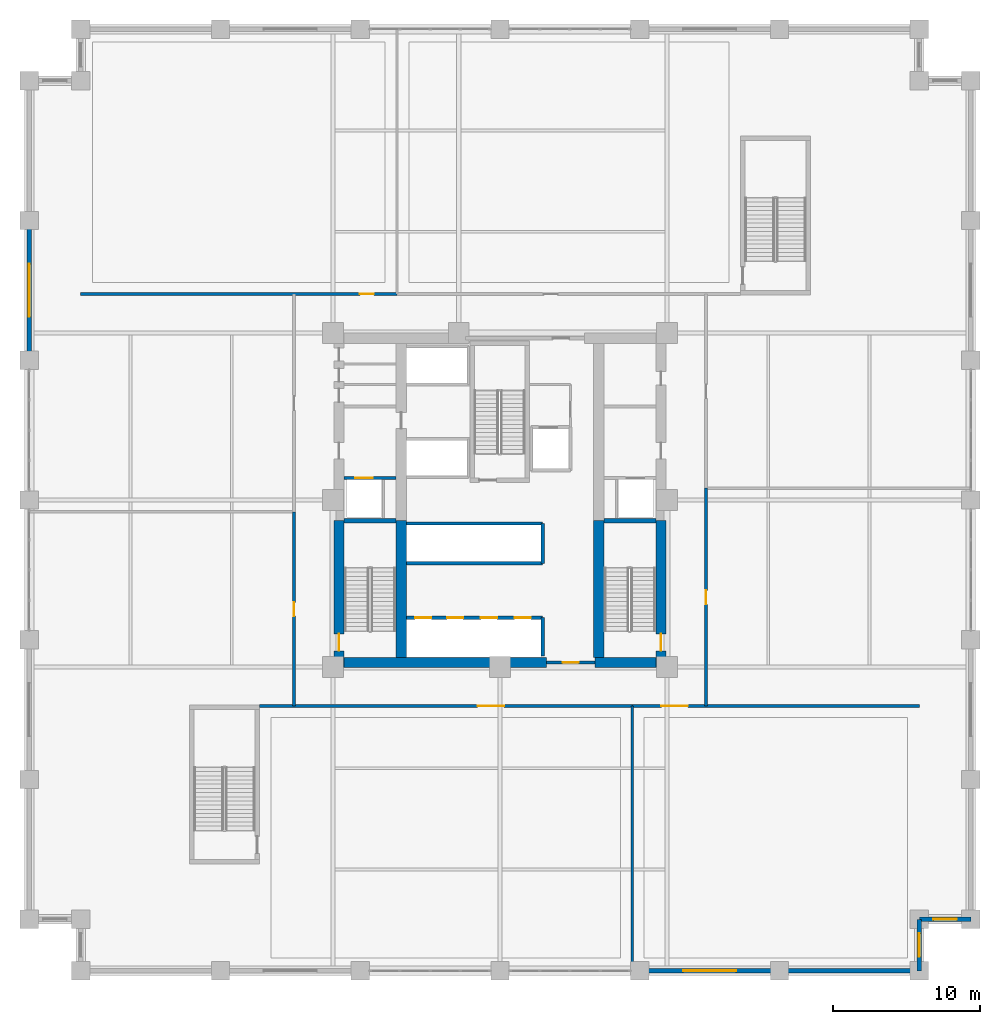
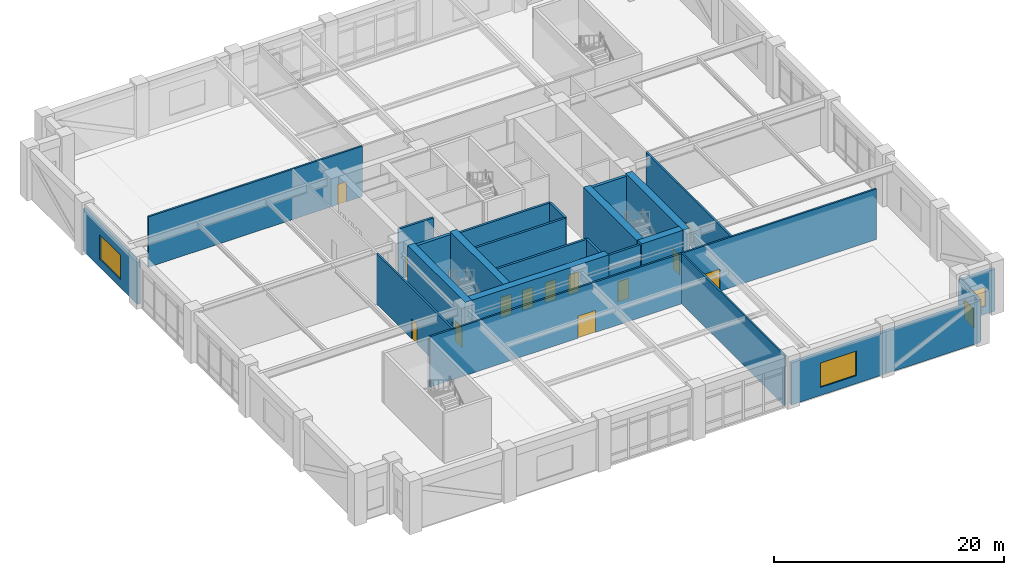
# One storey, part 12 of 21: 26 walls, 13 doors, 4 windows, 17 openings.
"""IFC4 building model written with IfcOpenShell, lengths in metres."""

from ifc_helpers import new_model, si_unit, direction, frame, frame_2d, origin, place, context, subcontext, project, spatial, rectangle, extrude, material, layer, layer_set, type_object, element, fill, save


model = new_model("IFC4")

# Units and contexts
model_context = context("Model", 3, precision=1e-05, world=origin(), true_north=direction((0.0, 1.0)))
body_context = subcontext(model_context, "Body", "Model", "MODEL_VIEW")
ifc_project = project(units=[si_unit("LENGTHUNIT", "METRE"), si_unit("AREAUNIT", "SQUARE_METRE"), si_unit("VOLUMEUNIT", "CUBIC_METRE"), si_unit("PLANEANGLEUNIT", "RADIAN"), si_unit("MASSUNIT", "GRAM", prefix="KILO")], contexts=[model_context])

# Site, building, storey
site_placement = place(None, origin())
site = spatial("IfcSite", under=ifc_project, at=site_placement, CompositionType="ELEMENT")
building_placement = place(site_placement, origin())
building = spatial("IfcBuilding", under=site, at=building_placement, Name="Nhamokura Convention Tower", CompositionType="ELEMENT")
storey_placement = place(building_placement, frame((0.0, 0.0, 12.25)))
storey = spatial("IfcBuildingStorey", under=building, at=storey_placement, Name="L02", CompositionType="ELEMENT", Elevation=12.25)

# Wall, opening, window
ifc_material_1 = material(Name="Bronze-pigmented precast concrete C45/55", Category="concrete")
ifc_layer_1 = layer(ifc_material_1, 0.320068359375)
ifc_layer_set_1 = layer_set([ifc_layer_1], Name="BronzePrecastSpandrel_320")
wall_type_1 = type_object("IfcWallType", Name="BronzePrecastSpandrel_320", PredefinedType="USERDEFINED", material=ifc_layer_set_1)
wall_1_placement = place(storey_placement, frame((51.0, 0.0, 0.0), z_axis=(0.0, 0.0, 1.0), x_axis=(-1.0, 0.0, 0.0)))
wall_1 = element("IfcWall", 1, at=wall_1_placement, inside=storey, type_object=wall_type_1, Name="L02 Masonry-Frame Wall SOUTH 4", ObjectType="SPANDREL_WALL", PredefinedType="USERDEFINED", context=body_context, shape_type="SweptSolid", body=[
    extrude(rectangle(XDim=9.5, YDim=0.320068359375, at=frame_2d((4.75, 0.0))), origin(), (0.0, 0.0, 1.0), 4.4599609375),
])
opening_1_placement = place(wall_1_placement, frame((2.949951171875, 0.0, 0.85009765625)))
opening_1 = element("IfcOpeningElement", 2, at=opening_1_placement, cuts=wall_1, Name="Opening W-01", PredefinedType="OPENING", context=body_context, shape_type="SweptSolid", body=[
    extrude(rectangle(XDim=3.60009765625, YDim=2.60009765625, at=frame_2d((1.800048828125, 1.300048828125))), frame((0.0, 0.169921875, 0.0), z_axis=(0.0, -1.0, 0.0), x_axis=(1.0, 0.0, 0.0)), (0.0, 0.0, 1.0), 0.340087890625),
])
ifc_material_2 = material(Name="Solar-control bronze low-E double glass", Category="glass")
window_type_1 = type_object("IfcWindowType", Name="PodiumClerestoryWindow_3600", PartitioningType="TRIPLE_PANEL_VERTICAL", PredefinedType="WINDOW", material=ifc_material_2)
window_1_placement = place(opening_1_placement, origin())
window_1 = element("IfcWindow", 3, at=window_1_placement, inside=storey, type_object=window_type_1, Name="L02 Facade Window SOUTH 4", OverallHeight=2.60009765625, OverallWidth=3.60009765625, PartitioningType="SINGLE_PANEL", PredefinedType="WINDOW", context=body_context, shape_type="SweptSolid", body=[
    extrude(rectangle(XDim=3.60009765625, YDim=2.60009765625, at=frame_2d((1.800048828125, 1.300048828125))), frame((0.0, 0.030029296875, 0.0), z_axis=(0.0, -1.0, 0.0), x_axis=(1.0, 0.0, 0.0)), (0.0, 0.0, 1.0), 0.06005859375),
])
fill(opening_1, window_1)

# Wall
wall_2_placement = place(storey_placement, frame((60.5, 0.0, 0.0), z_axis=(0.0, 0.0, 1.0), x_axis=(-1.0, 0.0, 0.0)))
element("IfcWall", 4, at=wall_2_placement, inside=storey, type_object=wall_type_1, Name="L02 Braced-Bay Precast Wall SOUTH 5", ObjectType="SPANDREL_WALL", PredefinedType="USERDEFINED", context=body_context, shape_type="SweptSolid", body=[
    extrude(rectangle(XDim=9.5, YDim=0.320068359375, at=frame_2d((4.75, 0.0))), origin(), (0.0, 0.0, 1.0), 4.4599609375),
])

# Wall, opening, window
wall_3_placement = place(storey_placement, frame((0.0, 41.5, 0.0), z_axis=(0.0, 0.0, 1.0), x_axis=(0.0, 1.0, 0.0)))
wall_3 = element("IfcWall", 5, at=wall_3_placement, inside=storey, type_object=wall_type_1, Name="L02 Masonry-Frame Wall WEST 4", ObjectType="SPANDREL_WALL", PredefinedType="USERDEFINED", context=body_context, shape_type="SweptSolid", body=[
    extrude(rectangle(XDim=9.5, YDim=0.320068359375, at=frame_2d((4.75, 0.0))), origin(), (0.0, 0.0, 1.0), 4.4599609375),
])
opening_2_placement = place(wall_3_placement, frame((2.949951171875, 0.0, 0.85009765625)))
opening_2 = element("IfcOpeningElement", 6, at=opening_2_placement, cuts=wall_3, Name="Opening W-01", PredefinedType="OPENING", context=body_context, shape_type="SweptSolid", body=[
    extrude(rectangle(XDim=3.60009765625, YDim=2.60009765625, at=frame_2d((1.800048828125, 1.300048828125))), frame((0.0, 0.169921875, 0.0), z_axis=(0.0, -1.0, 0.0), x_axis=(1.0, 0.0, 0.0)), (0.0, 0.0, 1.0), 0.340087890625),
])
window_2_placement = place(opening_2_placement, origin())
window_2 = element("IfcWindow", 7, at=window_2_placement, inside=storey, type_object=window_type_1, Name="L02 Facade Window WEST 4", OverallHeight=2.60009765625, OverallWidth=3.60009765625, PartitioningType="SINGLE_PANEL", PredefinedType="WINDOW", context=body_context, shape_type="SweptSolid", body=[
    extrude(rectangle(XDim=3.60009765625, YDim=2.60009765625, at=frame_2d((1.800048828125, 1.300048828125))), frame((0.0, 0.030029296875, 0.0), z_axis=(0.0, -1.0, 0.0), x_axis=(1.0, 0.0, 0.0)), (0.0, 0.0, 1.0), 0.06005859375),
])
fill(opening_2, window_2)

wall_4_placement = place(storey_placement, frame((60.5, 3.5, 0.0), z_axis=(0.0, 0.0, 1.0), x_axis=(0.0, -1.0, 0.0)))
wall_4 = element("IfcWall", 8, at=wall_4_placement, inside=storey, type_object=wall_type_1, Name="L02 Notched Corner Wall SE1", ObjectType="SPANDREL_WALL", PredefinedType="USERDEFINED", context=body_context, shape_type="SweptSolid", body=[
    extrude(rectangle(XDim=3.5, YDim=0.320068359375, at=frame_2d((1.75, 0.0))), origin(), (0.0, 0.0, 1.0), 4.4599609375),
])
opening_3_placement = place(wall_4_placement, frame((0.949951171875, 0.0, 0.85009765625)))
opening_3 = element("IfcOpeningElement", 9, at=opening_3_placement, cuts=wall_4, Name="Opening W-11", PredefinedType="OPENING", context=body_context, shape_type="SweptSolid", body=[
    extrude(rectangle(XDim=1.60009765625, YDim=2.050048828125, at=frame_2d((0.800048828125, 1.02490234375))), frame((0.0, 0.169921875, 0.0), z_axis=(0.0, -1.0, 0.0), x_axis=(1.0, 0.0, 0.0)), (0.0, 0.0, 1.0), 0.340087890625),
])
ifc_material_3 = material(Name="Solar-control bronze low-E double glass", Category="glass")
window_type_2 = type_object("IfcWindowType", Name="NotchCornerWindow_1600", PartitioningType="SINGLE_PANEL", PredefinedType="WINDOW", material=ifc_material_3)
window_3_placement = place(opening_3_placement, origin())
window_3 = element("IfcWindow", 10, at=window_3_placement, inside=storey, type_object=window_type_2, Name="L02 Notched Corner Window SE1", OverallHeight=2.050048828125, OverallWidth=1.60009765625, PartitioningType="SINGLE_PANEL", PredefinedType="WINDOW", context=body_context, shape_type="SweptSolid", body=[
    extrude(rectangle(XDim=1.60009765625, YDim=2.050048828125, at=frame_2d((0.800048828125, 1.02490234375))), frame((0.0, 0.030029296875, 0.0), z_axis=(0.0, -1.0, 0.0), x_axis=(1.0, 0.0, 0.0)), (0.0, 0.0, 1.0), 0.06005859375),
])
fill(opening_3, window_3)

wall_5_placement = place(storey_placement, frame((64.0, 3.5, 0.0), z_axis=(0.0, 0.0, 1.0), x_axis=(-1.0, 0.0, 0.0)))
wall_5 = element("IfcWall", 11, at=wall_5_placement, inside=storey, type_object=wall_type_1, Name="L02 Notched Corner Wall SE2", ObjectType="SPANDREL_WALL", PredefinedType="USERDEFINED", context=body_context, shape_type="SweptSolid", body=[
    extrude(rectangle(XDim=3.5, YDim=0.320068359375, at=frame_2d((1.75, 0.0))), origin(), (0.0, 0.0, 1.0), 4.4599609375),
])
opening_4_placement = place(wall_5_placement, frame((0.949951171875, 0.0, 0.85009765625)))
opening_4 = element("IfcOpeningElement", 12, at=opening_4_placement, cuts=wall_5, Name="Opening W-11", PredefinedType="OPENING", context=body_context, shape_type="SweptSolid", body=[
    extrude(rectangle(XDim=1.60009765625, YDim=2.050048828125, at=frame_2d((0.800048828125, 1.02490234375))), frame((0.0, 0.169921875, 0.0), z_axis=(0.0, -1.0, 0.0), x_axis=(1.0, 0.0, 0.0)), (0.0, 0.0, 1.0), 0.340087890625),
])
window_4_placement = place(opening_4_placement, origin())
window_4 = element("IfcWindow", 13, at=window_4_placement, inside=storey, type_object=window_type_2, Name="L02 Notched Corner Window SE2", OverallHeight=2.050048828125, OverallWidth=1.60009765625, PartitioningType="SINGLE_PANEL", PredefinedType="WINDOW", context=body_context, shape_type="SweptSolid", body=[
    extrude(rectangle(XDim=1.60009765625, YDim=2.050048828125, at=frame_2d((0.800048828125, 1.02490234375))), frame((0.0, 0.030029296875, 0.0), z_axis=(0.0, -1.0, 0.0), x_axis=(1.0, 0.0, 0.0)), (0.0, 0.0, 1.0), 0.06005859375),
])
fill(opening_4, window_4)

# Wall, opening, door
ifc_material_4 = material(Name="Concrete C70/85", Category="concrete")
ifc_layer_2 = layer(ifc_material_4, 0.699951171875)
ifc_layer_set_2 = layer_set([ifc_layer_2], Name="CoreShearWall_700")
wall_type_2 = type_object("IfcWallType", Name="CoreShearWall_700", PredefinedType="SHEAR", material=ifc_layer_set_2)
wall_6_placement = place(storey_placement, frame((21.06005859375, 20.60009765625, 0.0), z_axis=(0.0, 0.0, 1.0), x_axis=(0.0, 1.0, 0.0)))
wall_6 = element("IfcWall", 14, at=wall_6_placement, inside=storey, type_object=wall_type_2, Name="L02 Core Shear Wall CW-WS", PredefinedType="SHEAR", context=body_context, shape_type="SweptSolid", body=[
    extrude(rectangle(XDim=10.0, YDim=0.699951171875, at=frame_2d((5.0, 0.0))), origin(), (0.0, 0.0, 1.0), 5.60009765625),
])
opening_5_placement = place(wall_6_placement, frame((1.14990234375, 0.0, 0.0)))
opening_5 = element("IfcOpeningElement", 15, at=opening_5_placement, cuts=wall_6, Name="Opening D-04", PredefinedType="OPENING", context=body_context, shape_type="SweptSolid", body=[
    extrude(rectangle(XDim=1.14990234375, YDim=2.14990234375, at=frame_2d((0.574951171875, 1.074951171875))), frame((0.0, 0.35986328125, 0.0), z_axis=(0.0, -1.0, 0.0), x_axis=(1.0, 0.0, 0.0)), (0.0, 0.0, 1.0), 0.719970703125),
])
ifc_material_5 = material(Name="Fire-rated steel door", Category="steel")
door_type_1 = type_object("IfcDoorType", Name="StairSmokeDoor_1150", OperationType="NOTDEFINED", PredefinedType="DOOR", material=ifc_material_5)
door_1_placement = place(opening_5_placement, origin())
door_1 = element("IfcDoor", 16, at=door_1_placement, inside=storey, type_object=door_type_1, Name="L02 Core Door INT-L02-D-ST01", OperationType="SINGLE_SWING_LEFT", OverallHeight=2.14990234375, OverallWidth=1.14990234375, PredefinedType="DOOR", context=body_context, shape_type="SweptSolid", body=[
    extrude(rectangle(XDim=1.14990234375, YDim=2.14990234375, at=frame_2d((0.574951171875, 1.074951171875))), frame((0.0, 0.02490234375, 0.0), z_axis=(0.0, -1.0, 0.0), x_axis=(1.0, 0.0, 0.0)), (0.0, 0.0, 1.0), 0.050048828125),
])
fill(opening_5, door_1)

wall_7_placement = place(storey_placement, frame((42.93994140625, 20.60009765625, 0.0), z_axis=(0.0, 0.0, 1.0), x_axis=(0.0, 1.0, 0.0)))
wall_7 = element("IfcWall", 17, at=wall_7_placement, inside=storey, type_object=wall_type_2, Name="L02 Core Shear Wall CW-ES", PredefinedType="SHEAR", context=body_context, shape_type="SweptSolid", body=[
    extrude(rectangle(XDim=10.0, YDim=0.699951171875, at=frame_2d((5.0, 0.0))), origin(), (0.0, 0.0, 1.0), 5.60009765625),
])
opening_6_placement = place(wall_7_placement, frame((1.14990234375, 0.0, 0.0)))
opening_6 = element("IfcOpeningElement", 18, at=opening_6_placement, cuts=wall_7, Name="Opening D-04", PredefinedType="OPENING", context=body_context, shape_type="SweptSolid", body=[
    extrude(rectangle(XDim=1.14990234375, YDim=2.14990234375, at=frame_2d((0.574951171875, 1.074951171875))), frame((0.0, 0.35986328125, 0.0), z_axis=(0.0, -1.0, 0.0), x_axis=(1.0, 0.0, 0.0)), (0.0, 0.0, 1.0), 0.719970703125),
])
door_2_placement = place(opening_6_placement, origin())
door_2 = element("IfcDoor", 19, at=door_2_placement, inside=storey, type_object=door_type_1, Name="L02 Core Door INT-L02-D-ST02", OperationType="SINGLE_SWING_RIGHT", OverallHeight=2.14990234375, OverallWidth=1.14990234375, PredefinedType="DOOR", context=body_context, shape_type="SweptSolid", body=[
    extrude(rectangle(XDim=1.14990234375, YDim=2.14990234375, at=frame_2d((0.574951171875, 1.074951171875))), frame((0.0, 0.02490234375, 0.0), z_axis=(0.0, -1.0, 0.0), x_axis=(1.0, 0.0, 0.0)), (0.0, 0.0, 1.0), 0.050048828125),
])
fill(opening_6, door_2)

# Walls
wall_8_placement = place(storey_placement, frame((21.409912109375, 20.949951171875, 0.0), z_axis=(0.0, 0.0, 1.0), x_axis=(1.0, 0.0, 0.0)))
element("IfcWall", 20, at=wall_8_placement, inside=storey, type_object=wall_type_2, Name="L02 Core Shear Wall CW-S1", PredefinedType="SHEAR", context=body_context, shape_type="SweptSolid", body=[
    extrude(rectangle(XDim=13.739990234375, YDim=0.699951171875, at=frame_2d((6.8701171875, 0.0))), origin(), (0.0, 0.0, 1.0), 5.60009765625),
])
wall_9_placement = place(storey_placement, frame((38.449951171875, 20.949951171875, 0.0), z_axis=(0.0, 0.0, 1.0), x_axis=(1.0, 0.0, 0.0)))
element("IfcWall", 21, at=wall_9_placement, inside=storey, type_object=wall_type_2, Name="L02 Core Shear Wall CW-S2", PredefinedType="SHEAR", context=body_context, shape_type="SweptSolid", body=[
    extrude(rectangle(XDim=4.14013671875, YDim=0.699951171875, at=frame_2d((2.070068359375, 0.0))), origin(), (0.0, 0.0, 1.0), 5.60009765625),
])
for number, where, z_axis, x_axis, name in (
    (22, (25.2900390625, 21.300048828125, 0.0), (0.0, 0.0, 1.0), (0.0, 1.0, 0.0), "L02 Core Shear Wall CW-IWS"),
    (23, (38.7099609375, 21.300048828125, 0.0), (0.0, 0.0, 1.0), (0.0, 1.0, 0.0), "L02 Core Shear Wall CW-IES"),
):
    element("IfcWall", number, at=place(storey_placement, frame(where, z_axis=z_axis, x_axis=x_axis)), inside=storey, type_object=wall_type_2, Name=name, PredefinedType="SHEAR", context=body_context, shape_type="SweptSolid", body=[
        extrude(rectangle(XDim=9.300048828125, YDim=0.699951171875, at=frame_2d((4.64990234375, 0.0))), origin(), (0.0, 0.0, 1.0), 5.60009765625),
    ])

# Wall, opening, door
ifc_material_6 = material(Name="Fire-rated gypsum and masonry partition", Category="masonry")
ifc_layer_3 = layer(ifc_material_6, 0.179931640625)
ifc_layer_set_3 = layer_set([ifc_layer_3], Name="CorridorRatedWall_180")
wall_type_3 = type_object("IfcWallType", Name="CorridorRatedWall_180", PredefinedType="STANDARD", material=ifc_layer_set_3)
wall_10_placement = place(storey_placement, frame((15.64990234375, 18.0, 0.0), z_axis=(0.0, 0.0, 1.0), x_axis=(1.0, 0.0, 0.0)))
wall_10 = element("IfcWall", 24, at=wall_10_placement, inside=storey, type_object=wall_type_3, Name="L02 Wall INT-L02-CW-S00", PredefinedType="STANDARD", context=body_context, shape_type="SweptSolid", body=[
    extrude(rectangle(XDim=25.35009765625, YDim=0.179931640625, at=frame_2d((12.675048828125, 0.0))), origin(), (0.0, 0.0, 1.0), 5.360107421875),
])
opening_7_placement = place(wall_10_placement, frame((14.824951171875, 0.0, 0.0)))
opening_7 = element("IfcOpeningElement", 25, at=opening_7_placement, cuts=wall_10, Name="Opening D-03", PredefinedType="OPENING", context=body_context, shape_type="SweptSolid", body=[
    extrude(rectangle(XDim=1.800048828125, YDim=2.35009765625, at=frame_2d((0.89990234375, 1.175048828125))), frame((0.0, 0.099853515625, 0.0), z_axis=(0.0, -1.0, 0.0), x_axis=(1.0, 0.0, 0.0)), (0.0, 0.0, 1.0), 0.199951171875),
])
ifc_material_7 = material(Name="Solid oak hardwood", Category="wood")
door_type_2 = type_object("IfcDoorType", Name="BallroomDoubleDoor_1800", OperationType="DOUBLE_DOOR_SINGLE_SWING", PredefinedType="DOOR", material=ifc_material_7)
door_3_placement = place(opening_7_placement, origin())
door_3 = element("IfcDoor", 26, at=door_3_placement, inside=storey, type_object=door_type_2, Name="L02 Exhibition Hall C S01 Door", OperationType="SINGLE_SWING_LEFT", OverallHeight=2.35009765625, OverallWidth=1.800048828125, PredefinedType="DOOR", context=body_context, shape_type="SweptSolid", body=[
    extrude(rectangle(XDim=1.800048828125, YDim=2.35009765625, at=frame_2d((0.89990234375, 1.175048828125))), frame((0.0, 0.02490234375, 0.0), z_axis=(0.0, -1.0, 0.0), x_axis=(1.0, 0.0, 0.0)), (0.0, 0.0, 1.0), 0.050048828125),
])
fill(opening_7, door_3)

wall_11_placement = place(storey_placement, frame((41.0, 18.0, 0.0), z_axis=(0.0, 0.0, 1.0), x_axis=(1.0, 0.0, 0.0)))
wall_11 = element("IfcWall", 27, at=wall_11_placement, inside=storey, type_object=wall_type_3, Name="L02 Wall INT-L02-CW-S01", PredefinedType="STANDARD", context=body_context, shape_type="SweptSolid", body=[
    extrude(rectangle(XDim=19.5, YDim=0.179931640625, at=frame_2d((9.75, 0.0))), origin(), (0.0, 0.0, 1.0), 5.360107421875),
])
opening_8_placement = place(wall_11_placement, frame((1.97509765625, 0.0, 0.0)))
opening_8 = element("IfcOpeningElement", 28, at=opening_8_placement, cuts=wall_11, Name="Opening D-03", PredefinedType="OPENING", context=body_context, shape_type="SweptSolid", body=[
    extrude(rectangle(XDim=1.800048828125, YDim=2.35009765625, at=frame_2d((0.89990234375, 1.175048828125))), frame((0.0, 0.099853515625, 0.0), z_axis=(0.0, -1.0, 0.0), x_axis=(1.0, 0.0, 0.0)), (0.0, 0.0, 1.0), 0.199951171875),
])
door_4_placement = place(opening_8_placement, origin())
door_4 = element("IfcDoor", 29, at=door_4_placement, inside=storey, type_object=door_type_2, Name="L02 Innovation Pavilion S02 Door", OperationType="SINGLE_SWING_RIGHT", OverallHeight=2.35009765625, OverallWidth=1.800048828125, PredefinedType="DOOR", context=body_context, shape_type="SweptSolid", body=[
    extrude(rectangle(XDim=1.800048828125, YDim=2.35009765625, at=frame_2d((0.89990234375, 1.175048828125))), frame((0.0, 0.02490234375, 0.0), z_axis=(0.0, -1.0, 0.0), x_axis=(1.0, 0.0, 0.0)), (0.0, 0.0, 1.0), 0.050048828125),
])
fill(opening_8, door_4)

wall_12_placement = place(storey_placement, frame((3.5, 46.0, 0.0), z_axis=(0.0, 0.0, 1.0), x_axis=(1.0, 0.0, 0.0)))
wall_12 = element("IfcWall", 30, at=wall_12_placement, inside=storey, type_object=wall_type_3, Name="L02 Wall INT-L02-CW-N00", PredefinedType="STANDARD", context=body_context, shape_type="SweptSolid", body=[
    extrude(rectangle(XDim=21.5, YDim=0.179931640625, at=frame_2d((10.75, 0.0))), origin(), (0.0, 0.0, 1.0), 5.360107421875),
])
opening_9_placement = place(wall_12_placement, frame((18.97509765625, 0.0, 0.0)))
opening_9 = element("IfcOpeningElement", 31, at=opening_9_placement, cuts=wall_12, Name="Opening D-09", PredefinedType="OPENING", context=body_context, shape_type="SweptSolid", body=[
    extrude(rectangle(XDim=0.949951171875, YDim=2.14990234375, at=frame_2d((0.47509765625, 1.074951171875))), frame((0.0, 0.099853515625, 0.0), z_axis=(0.0, -1.0, 0.0), x_axis=(1.0, 0.0, 0.0)), (0.0, 0.0, 1.0), 0.199951171875),
])
ifc_material_8 = material(Name="Solid oak hardwood", Category="wood")
door_type_3 = type_object("IfcDoorType", Name="MeetingRoomDoor_950", OperationType="NOTDEFINED", PredefinedType="DOOR", material=ifc_material_8)
door_5_placement = place(opening_9_placement, origin())
door_5 = element("IfcDoor", 32, at=door_5_placement, inside=storey, type_object=door_type_3, Name="L02 Press Centre N01 Door", OperationType="SINGLE_SWING_LEFT", OverallHeight=2.14990234375, OverallWidth=0.949951171875, PredefinedType="DOOR", context=body_context, shape_type="SweptSolid", body=[
    extrude(rectangle(XDim=0.949951171875, YDim=2.14990234375, at=frame_2d((0.47509765625, 1.074951171875))), frame((0.0, 0.02490234375, 0.0), z_axis=(0.0, -1.0, 0.0), x_axis=(1.0, 0.0, 0.0)), (0.0, 0.0, 1.0), 0.050048828125),
])
fill(opening_9, door_5)

wall_13_placement = place(storey_placement, frame((18.0, 18.0, 0.0), z_axis=(0.0, 0.0, 1.0), x_axis=(0.0, 1.0, 0.0)))
wall_13 = element("IfcWall", 33, at=wall_13_placement, inside=storey, type_object=wall_type_3, Name="L02 Wall INT-L02-CW-W00", PredefinedType="STANDARD", context=body_context, shape_type="SweptSolid", body=[
    extrude(rectangle(XDim=13.199951171875, YDim=0.179931640625, at=frame_2d((6.60009765625, 0.0))), origin(), (0.0, 0.0, 1.0), 5.360107421875),
])
opening_10_placement = place(wall_13_placement, frame((6.10009765625, 0.0, 0.0)))
opening_10 = element("IfcOpeningElement", 34, at=opening_10_placement, cuts=wall_13, Name="Opening D-09", PredefinedType="OPENING", context=body_context, shape_type="SweptSolid", body=[
    extrude(rectangle(XDim=0.949951171875, YDim=2.14990234375, at=frame_2d((0.47509765625, 1.074951171875))), frame((0.0, 0.099853515625, 0.0), z_axis=(0.0, -1.0, 0.0), x_axis=(1.0, 0.0, 0.0)), (0.0, 0.0, 1.0), 0.199951171875),
])
door_6_placement = place(opening_10_placement, origin())
door_6 = element("IfcDoor", 35, at=door_6_placement, inside=storey, type_object=door_type_3, Name="L02 Private Office W01 Door", OperationType="SINGLE_SWING_LEFT", OverallHeight=2.14990234375, OverallWidth=0.949951171875, PredefinedType="DOOR", context=body_context, shape_type="SweptSolid", body=[
    extrude(rectangle(XDim=0.949951171875, YDim=2.14990234375, at=frame_2d((0.47509765625, 1.074951171875))), frame((0.0, 0.02490234375, 0.0), z_axis=(0.0, -1.0, 0.0), x_axis=(1.0, 0.0, 0.0)), (0.0, 0.0, 1.0), 0.050048828125),
])
fill(opening_10, door_6)

wall_14_placement = place(storey_placement, frame((46.0, 18.0, 0.0), z_axis=(0.0, 0.0, 1.0), x_axis=(0.0, 1.0, 0.0)))
wall_14 = element("IfcWall", 36, at=wall_14_placement, inside=storey, type_object=wall_type_3, Name="L02 Wall INT-L02-CW-E00", PredefinedType="STANDARD", context=body_context, shape_type="SweptSolid", body=[
    extrude(rectangle(XDim=14.800048828125, YDim=0.179931640625, at=frame_2d((7.39990234375, 0.0))), origin(), (0.0, 0.0, 1.0), 5.360107421875),
])
opening_11_placement = place(wall_14_placement, frame((6.89990234375, 0.0, 0.0)))
opening_11 = element("IfcOpeningElement", 37, at=opening_11_placement, cuts=wall_14, Name="Opening D-09", PredefinedType="OPENING", context=body_context, shape_type="SweptSolid", body=[
    extrude(rectangle(XDim=0.949951171875, YDim=2.14990234375, at=frame_2d((0.47509765625, 1.074951171875))), frame((0.0, 0.099853515625, 0.0), z_axis=(0.0, -1.0, 0.0), x_axis=(1.0, 0.0, 0.0)), (0.0, 0.0, 1.0), 0.199951171875),
])
door_7_placement = place(opening_11_placement, origin())
door_7 = element("IfcDoor", 38, at=door_7_placement, inside=storey, type_object=door_type_3, Name="L02 Delegate Business Lounge E01 Door", OperationType="SINGLE_SWING_LEFT", OverallHeight=2.14990234375, OverallWidth=0.949951171875, PredefinedType="DOOR", context=body_context, shape_type="SweptSolid", body=[
    extrude(rectangle(XDim=0.949951171875, YDim=2.14990234375, at=frame_2d((0.47509765625, 1.074951171875))), frame((0.0, 0.02490234375, 0.0), z_axis=(0.0, -1.0, 0.0), x_axis=(1.0, 0.0, 0.0)), (0.0, 0.0, 1.0), 0.050048828125),
])
fill(opening_11, door_7)

ifc_material_9 = material(Name="Autoclaved concrete blockwork", Category="masonry")
ifc_layer_4 = layer(ifc_material_9, 0.219970703125)
ifc_layer_set_4 = layer_set([ifc_layer_4], Name="FireLobbyWall_220")
wall_type_4 = type_object("IfcWallType", Name="FireLobbyWall_220", PredefinedType="STANDARD", material=ifc_layer_set_4)
wall_15_placement = place(storey_placement, frame((21.409912109375, 33.5, 0.0), z_axis=(0.0, 0.0, 1.0), x_axis=(1.0, 0.0, 0.0)))
wall_15 = element("IfcWall", 39, at=wall_15_placement, inside=storey, type_object=wall_type_4, Name="L02 Wall INT-L02-FFW-S", PredefinedType="STANDARD", context=body_context, shape_type="SweptSolid", body=[
    extrude(rectangle(XDim=3.530029296875, YDim=0.219970703125, at=frame_2d((1.76513671875, 0.0))), origin(), (0.0, 0.0, 1.0), 5.360107421875),
])
opening_12_placement = place(wall_15_placement, frame((0.75, 0.0, 0.0)))
opening_12 = element("IfcOpeningElement", 40, at=opening_12_placement, cuts=wall_15, Name="Opening LD-02", PredefinedType="OPENING", context=body_context, shape_type="SweptSolid", body=[
    extrude(rectangle(XDim=1.199951171875, YDim=2.199951171875, at=frame_2d((0.60009765625, 1.10009765625))), frame((0.0, 0.119873046875, 0.0), z_axis=(0.0, -1.0, 0.0), x_axis=(1.0, 0.0, 0.0)), (0.0, 0.0, 1.0), 0.239990234375),
])
ifc_material_10 = material(Name="Anodised bronze stainless steel", Category="steel")
door_type_4 = type_object("IfcDoorType", Name="LiftLandingDoor_FireService", OperationType="DOUBLE_DOOR_SLIDING", PredefinedType="DOOR", material=ifc_material_10)
door_8_placement = place(opening_12_placement, origin())
door_8 = element("IfcDoor", 41, at=door_8_placement, inside=storey, type_object=door_type_4, Name="L02 Firefighting Lift LF-01 Door", OperationType="DOUBLE_DOOR_SLIDING", OverallHeight=2.199951171875, OverallWidth=1.199951171875, PredefinedType="DOOR", context=body_context, shape_type="SweptSolid", body=[
    extrude(rectangle(XDim=1.199951171875, YDim=2.199951171875, at=frame_2d((0.60009765625, 1.10009765625))), frame((0.0, 0.02490234375, 0.0), z_axis=(0.0, -1.0, 0.0), x_axis=(1.0, 0.0, 0.0)), (0.0, 0.0, 1.0), 0.050048828125),
])
fill(opening_12, door_8)

wall_16_placement = place(storey_placement, frame((35.14990234375, 20.949951171875, 0.0), z_axis=(0.0, 0.0, 1.0), x_axis=(1.0, 0.0, 0.0)))
wall_16 = element("IfcWall", 42, at=wall_16_placement, inside=storey, type_object=wall_type_4, Name="L02 Wall INT-L02-SPORT-S", PredefinedType="STANDARD", context=body_context, shape_type="SweptSolid", body=[
    extrude(rectangle(XDim=3.300048828125, YDim=0.219970703125, at=frame_2d((1.64990234375, 0.0))), origin(), (0.0, 0.0, 1.0), 5.360107421875),
])
opening_13_placement = place(wall_16_placement, frame((1.10009765625, 0.0, 0.0)))
opening_13 = element("IfcOpeningElement", 43, at=opening_13_placement, cuts=wall_16, Name="Opening D-05", PredefinedType="OPENING", context=body_context, shape_type="SweptSolid", body=[
    extrude(rectangle(XDim=1.10009765625, YDim=2.14990234375, at=frame_2d((0.550048828125, 1.074951171875))), frame((0.0, 0.119873046875, 0.0), z_axis=(0.0, -1.0, 0.0), x_axis=(1.0, 0.0, 0.0)), (0.0, 0.0, 1.0), 0.239990234375),
])
ifc_material_11 = material(Name="Fire-rated steel door", Category="steel")
door_type_5 = type_object("IfcDoorType", Name="FireLobbyDoor_1100", OperationType="NOTDEFINED", PredefinedType="DOOR", material=ifc_material_11)
door_9_placement = place(opening_13_placement, origin())
door_9 = element("IfcDoor", 44, at=door_9_placement, inside=storey, type_object=door_type_5, Name="L02 South Core Lobby Portal Door", OperationType="SINGLE_SWING_LEFT", OverallHeight=2.14990234375, OverallWidth=1.10009765625, PredefinedType="DOOR", context=body_context, shape_type="SweptSolid", body=[
    extrude(rectangle(XDim=1.10009765625, YDim=2.14990234375, at=frame_2d((0.550048828125, 1.074951171875))), frame((0.0, 0.02490234375, 0.0), z_axis=(0.0, -1.0, 0.0), x_axis=(1.0, 0.0, 0.0)), (0.0, 0.0, 1.0), 0.050048828125),
])
fill(opening_13, door_9)

# Wall, openings, doors
wall_17_placement = place(storey_placement, frame((25.64990234375, 24.0, 0.0), z_axis=(0.0, 0.0, 1.0), x_axis=(1.0, 0.0, 0.0)))
wall_17 = element("IfcWall", 45, at=wall_17_placement, inside=storey, type_object=wall_type_4, Name="L02 Wall INT-L02-B1N", PredefinedType="STANDARD", context=body_context, shape_type="SweptSolid", body=[
    extrude(rectangle(XDim=9.25, YDim=0.219970703125, at=frame_2d((4.625, 0.0))), origin(), (0.0, 0.0, 1.0), 5.360107421875),
])
opening_14_placement = place(wall_17_placement, frame((0.580078125, 0.0, 0.0)))
opening_14 = element("IfcOpeningElement", 46, at=opening_14_placement, cuts=wall_17, Name="Opening LD-01", PredefinedType="OPENING", context=body_context, shape_type="SweptSolid", body=[
    extrude(rectangle(XDim=1.10009765625, YDim=2.14990234375, at=frame_2d((0.550048828125, 1.074951171875))), frame((0.0, 0.119873046875, 0.0), z_axis=(0.0, -1.0, 0.0), x_axis=(1.0, 0.0, 0.0)), (0.0, 0.0, 1.0), 0.239990234375),
])
opening_15_placement = place(wall_17_placement, frame((2.75, 0.0, 0.0)))
opening_15 = element("IfcOpeningElement", 47, at=opening_15_placement, cuts=wall_17, Name="Opening LD-01", PredefinedType="OPENING", context=body_context, shape_type="SweptSolid", body=[
    extrude(rectangle(XDim=1.10009765625, YDim=2.14990234375, at=frame_2d((0.550048828125, 1.074951171875))), frame((0.0, 0.119873046875, 0.0), z_axis=(0.0, -1.0, 0.0), x_axis=(1.0, 0.0, 0.0)), (0.0, 0.0, 1.0), 0.239990234375),
])
opening_16_placement = place(wall_17_placement, frame((5.050048828125, 0.0, 0.0)))
opening_16 = element("IfcOpeningElement", 48, at=opening_16_placement, cuts=wall_17, Name="Opening LD-01", PredefinedType="OPENING", context=body_context, shape_type="SweptSolid", body=[
    extrude(rectangle(XDim=1.10009765625, YDim=2.14990234375, at=frame_2d((0.550048828125, 1.074951171875))), frame((0.0, 0.119873046875, 0.0), z_axis=(0.0, -1.0, 0.0), x_axis=(1.0, 0.0, 0.0)), (0.0, 0.0, 1.0), 0.239990234375),
])
opening_17_placement = place(wall_17_placement, frame((7.35009765625, 0.0, 0.0)))
opening_17 = element("IfcOpeningElement", 49, at=opening_17_placement, cuts=wall_17, Name="Opening LD-01", PredefinedType="OPENING", context=body_context, shape_type="SweptSolid", body=[
    extrude(rectangle(XDim=1.10009765625, YDim=2.14990234375, at=frame_2d((0.550048828125, 1.074951171875))), frame((0.0, 0.119873046875, 0.0), z_axis=(0.0, -1.0, 0.0), x_axis=(1.0, 0.0, 0.0)), (0.0, 0.0, 1.0), 0.239990234375),
])
ifc_material_12 = material(Name="Anodised bronze stainless steel", Category="steel")
door_type_6 = type_object("IfcDoorType", Name="LiftLandingDoor_Passenger", OperationType="DOUBLE_DOOR_SLIDING", PredefinedType="DOOR", material=ifc_material_12)
door_10_placement = place(opening_14_placement, origin())
door_10 = element("IfcDoor", 50, at=door_10_placement, inside=storey, type_object=door_type_6, Name="L02 Lift LP-01 Landing Door", OperationType="DOUBLE_DOOR_SLIDING", OverallHeight=2.14990234375, OverallWidth=1.10009765625, PredefinedType="DOOR", context=body_context, shape_type="SweptSolid", body=[
    extrude(rectangle(XDim=1.10009765625, YDim=2.14990234375, at=frame_2d((0.550048828125, 1.074951171875))), frame((0.0, 0.02490234375, 0.0), z_axis=(0.0, -1.0, 0.0), x_axis=(1.0, 0.0, 0.0)), (0.0, 0.0, 1.0), 0.050048828125),
])
fill(opening_14, door_10)
door_11_placement = place(opening_15_placement, origin())
door_11 = element("IfcDoor", 51, at=door_11_placement, inside=storey, type_object=door_type_6, Name="L02 Lift LP-02 Landing Door", OperationType="DOUBLE_DOOR_SLIDING", OverallHeight=2.14990234375, OverallWidth=1.10009765625, PredefinedType="DOOR", context=body_context, shape_type="SweptSolid", body=[
    extrude(rectangle(XDim=1.10009765625, YDim=2.14990234375, at=frame_2d((0.550048828125, 1.074951171875))), frame((0.0, 0.02490234375, 0.0), z_axis=(0.0, -1.0, 0.0), x_axis=(1.0, 0.0, 0.0)), (0.0, 0.0, 1.0), 0.050048828125),
])
fill(opening_15, door_11)
door_12_placement = place(opening_16_placement, origin())
door_12 = element("IfcDoor", 52, at=door_12_placement, inside=storey, type_object=door_type_6, Name="L02 Lift LP-03 Landing Door", OperationType="DOUBLE_DOOR_SLIDING", OverallHeight=2.14990234375, OverallWidth=1.10009765625, PredefinedType="DOOR", context=body_context, shape_type="SweptSolid", body=[
    extrude(rectangle(XDim=1.10009765625, YDim=2.14990234375, at=frame_2d((0.550048828125, 1.074951171875))), frame((0.0, 0.02490234375, 0.0), z_axis=(0.0, -1.0, 0.0), x_axis=(1.0, 0.0, 0.0)), (0.0, 0.0, 1.0), 0.050048828125),
])
fill(opening_16, door_12)
door_13_placement = place(opening_17_placement, origin())
door_13 = element("IfcDoor", 53, at=door_13_placement, inside=storey, type_object=door_type_6, Name="L02 Lift LP-04 Landing Door", OperationType="DOUBLE_DOOR_SLIDING", OverallHeight=2.14990234375, OverallWidth=1.10009765625, PredefinedType="DOOR", context=body_context, shape_type="SweptSolid", body=[
    extrude(rectangle(XDim=1.10009765625, YDim=2.14990234375, at=frame_2d((0.550048828125, 1.074951171875))), frame((0.0, 0.02490234375, 0.0), z_axis=(0.0, -1.0, 0.0), x_axis=(1.0, 0.0, 0.0)), (0.0, 0.0, 1.0), 0.050048828125),
])
fill(opening_17, door_13)

# Walls
wall_18_placement = place(storey_placement, frame((34.89990234375, 21.39990234375, 0.0), z_axis=(0.0, 0.0, 1.0), x_axis=(0.0, 1.0, 0.0)))
element("IfcWall", 54, at=wall_18_placement, inside=storey, type_object=wall_type_4, Name="L02 Wall INT-L02-B1E", PredefinedType="STANDARD", context=body_context, shape_type="SweptSolid", body=[
    extrude(rectangle(XDim=2.60009765625, YDim=0.219970703125, at=frame_2d((1.300048828125, 0.0))), origin(), (0.0, 0.0, 1.0), 5.360107421875),
])
for number, where, z_axis, x_axis, name in (
    (55, (25.64990234375, 27.699951171875, 0.0), (0.0, 0.0, 1.0), (1.0, 0.0, 0.0), "L02 Wall INT-L02-B2S"),
    (56, (25.64990234375, 30.39990234375, 0.0), (0.0, 0.0, 1.0), (1.0, 0.0, 0.0), "L02 Wall INT-L02-B2N"),
):
    element("IfcWall", number, at=place(storey_placement, frame(where, z_axis=z_axis, x_axis=x_axis)), inside=storey, type_object=wall_type_4, Name=name, PredefinedType="STANDARD", context=body_context, shape_type="SweptSolid", body=[
        extrude(rectangle(XDim=9.25, YDim=0.219970703125, at=frame_2d((4.625, 0.0))), origin(), (0.0, 0.0, 1.0), 5.360107421875),
    ])
wall_19_placement = place(storey_placement, frame((34.89990234375, 27.699951171875, 0.0), z_axis=(0.0, 0.0, 1.0), x_axis=(0.0, 1.0, 0.0)))
element("IfcWall", 57, at=wall_19_placement, inside=storey, type_object=wall_type_4, Name="L02 Wall INT-L02-B2E", PredefinedType="STANDARD", context=body_context, shape_type="SweptSolid", body=[
    extrude(rectangle(XDim=2.699951171875, YDim=0.219970703125, at=frame_2d((1.35009765625, 0.0))), origin(), (0.0, 0.0, 1.0), 5.360107421875),
])
ifc_material_13 = material(Name="Bronze-framed acoustic operable panel wall", Category="aluminium")
ifc_layer_5 = layer(ifc_material_13, 0.159912109375)
ifc_layer_set_5 = layer_set([ifc_layer_5], Name="OperableAcousticWall_160")
wall_type_5 = type_object("IfcWallType", Name="OperableAcousticWall_160", PredefinedType="MOVABLE", material=ifc_layer_set_5)
wall_20_placement = place(storey_placement, frame((41.0, 0.06005859375, 0.0), z_axis=(0.0, 0.0, 1.0), x_axis=(0.0, 1.0, 0.0)))
element("IfcWall", 58, at=wall_20_placement, inside=storey, type_object=wall_type_5, Name="L02 Wall INT-L02-RW-S01", PredefinedType="MOVABLE", context=body_context, shape_type="SweptSolid", body=[
    extrude(rectangle(XDim=17.93994140625, YDim=0.159912109375, at=frame_2d((8.969970703125, 0.0))), origin(), (0.0, 0.0, 1.0), 5.360107421875),
])
ifc_material_14 = material(Name="Concrete C50/60", Category="concrete")
ifc_layer_6 = layer(ifc_material_14, 0.300048828125)
ifc_layer_set_6 = layer_set([ifc_layer_6], Name="ShaftEnclosureWall_300")
wall_type_6 = type_object("IfcWallType", Name="ShaftEnclosureWall_300", PredefinedType="SHEAR", material=ifc_layer_set_6)
for number, where, z_axis, x_axis, name in (
    (59, (21.409912109375, 30.60009765625, 0.0), (0.0, 0.0, 1.0), (1.0, 0.0, 0.0), "L02 Wall INT-L02-ST01-N"),
    (60, (39.06005859375, 30.60009765625, 0.0), (0.0, 0.0, 1.0), (1.0, 0.0, 0.0), "L02 Wall INT-L02-ST02-N"),
):
    element("IfcWall", number, at=place(storey_placement, frame(where, z_axis=z_axis, x_axis=x_axis)), inside=storey, type_object=wall_type_6, Name=name, PredefinedType="SHEAR", context=body_context, shape_type="SweptSolid", body=[
        extrude(rectangle(XDim=3.530029296875, YDim=0.300048828125, at=frame_2d((1.76513671875, 0.0))), origin(), (0.0, 0.0, 1.0), 5.360107421875),
    ])

save(model, "model.ifc")
